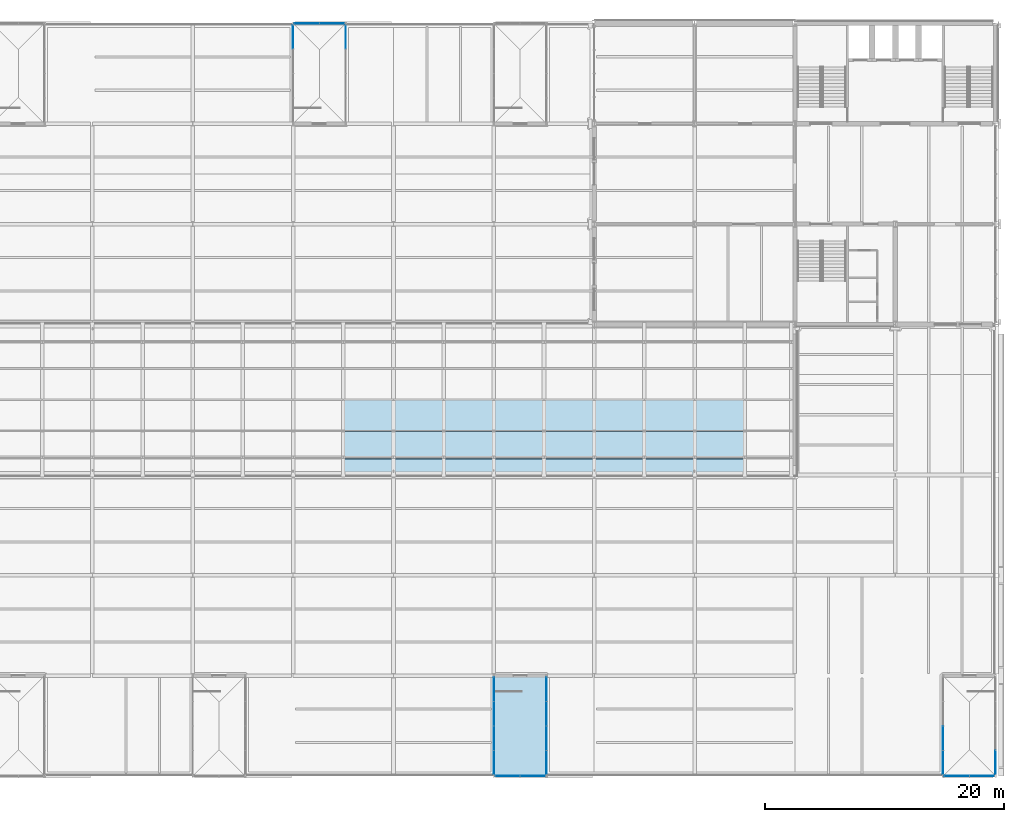
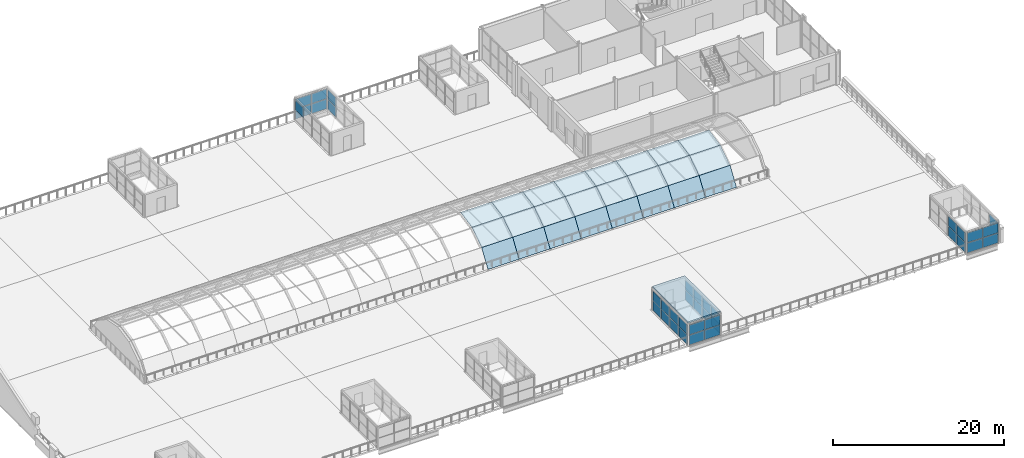
# One storey, part 36 of 58: 61 plates, 1 slab, 9 elements without a shape of their own.
"""IFC4 building model written with IfcOpenShell, lengths in metres."""

import ifcopenshell
import ifcopenshell.guid

model = None  # the IFC model being written
_history = None  # IfcOwnerHistory: only IFC2X3 demands one
_inside = {}  # id of a spatial element -> (the spatial element, [elements in it])
_under = {}  # id of a project, library or spatial element -> (it, [spatial elements below it])
_declared = {}  # id of a project -> (the project, [libraries it declares])
_typed = {}  # id of a type object -> (the type object, [elements of that type])
_made_of = {}  # id of a material, layer set ... -> (it, [elements and type objects made of it])


def new_model(schema):
    """Start an empty IFC model of exactly this schema.

    Asked for "IFC4X3", IfcOpenShell would pick the latest addendum, in which some entities
    have other attributes; the version numbers below select the first issue.
    IFC2X3 requires an IfcOwnerHistory on every rooted entity: one is made here for all.
    """
    global model, _history
    if schema == "IFC4X3":
        model = ifcopenshell.file(schema_version=(4, 3, 0, 0))
    else:
        model = ifcopenshell.file(schema=schema)
    _inside.clear()
    _under.clear()
    _declared.clear()
    _typed.clear()
    _made_of.clear()
    _history = None
    if model.schema == "IFC2X3":
        org = make("IfcOrganization", Name="unknown")
        user = make(
            "IfcPersonAndOrganization",
            ThePerson=make("IfcPerson", FamilyName="unknown"),
            TheOrganization=org,
        )
        app = make(
            "IfcApplication",
            ApplicationDeveloper=org,
            Version="unknown",
            ApplicationFullName="unknown",
            ApplicationIdentifier="unknown",
        )
        _history = make(
            "IfcOwnerHistory",
            OwningUser=user,
            OwningApplication=app,
            ChangeAction="ADDED",
            CreationDate=0,
        )
    return model


def make(cls, **values):
    """One entity of the class cls with the attributes given. An attribute that is None is left unset."""
    return model.create_entity(
        cls, **{name: value for name, value in values.items() if value is not None}
    )


def rooted(cls, **values):
    """An entity with a GlobalId (a new one), such as an element, a storey or a relation."""
    return make(cls, GlobalId=ifcopenshell.guid.new(), OwnerHistory=_history, **values)


def si_unit(unit_type, name, prefix=None):
    """IfcSIUnit, for example si_unit("LENGTHUNIT", "METRE", prefix="MILLI")."""
    return make("IfcSIUnit", UnitType=unit_type, Prefix=prefix, Name=name)


def assignment(units):
    """IfcUnitAssignment: the units of a project."""
    return None if units is None else make("IfcUnitAssignment", Units=units)


def point(xyz):
    """IfcCartesianPoint."""
    return None if xyz is None else make("IfcCartesianPoint", Coordinates=xyz)


def direction(xyz):
    """IfcDirection."""
    return None if xyz is None else make("IfcDirection", DirectionRatios=xyz)


def frame(location, z_axis=None, x_axis=None):
    """IfcAxis2Placement3D, a coordinate frame: its origin and axes. An axis left out is left unset."""
    return make(
        "IfcAxis2Placement3D",
        Location=point(location),
        Axis=direction(z_axis),
        RefDirection=direction(x_axis),
    )


def frame_2d(location, x_axis=None):
    """IfcAxis2Placement2D, a coordinate frame in the plane: its origin and x axis."""
    return make(
        "IfcAxis2Placement2D", Location=point(location), RefDirection=direction(x_axis)
    )


def origin():
    """The frame at (0, 0, 0) with its axes left unset."""
    return frame((0.0, 0.0, 0.0))


def origin_2d():
    """The frame at (0, 0) in the plane with its x axis left unset."""
    return frame_2d((0.0, 0.0))


def place(relative_to, where):
    """IfcLocalPlacement: puts the frame where relative to a parent placement (None: the world)."""
    return make(
        "IfcLocalPlacement", PlacementRelTo=relative_to, RelativePlacement=where
    )


def context(
    kind, dimensions, precision=None, world=None, true_north=None, identifier=None
):
    """IfcGeometricRepresentationContext, for example the 3D "Model" context."""
    return make(
        "IfcGeometricRepresentationContext",
        ContextIdentifier=identifier,
        ContextType=kind,
        CoordinateSpaceDimension=dimensions,
        Precision=precision,
        WorldCoordinateSystem=world,
        TrueNorth=true_north,
    )


def subcontext(parent, identifier, kind, view, scale=None):
    """IfcGeometricRepresentationSubContext, for example "Body" below "Model"."""
    return make(
        "IfcGeometricRepresentationSubContext",
        ContextIdentifier=identifier,
        ContextType=kind,
        ParentContext=parent,
        TargetScale=scale,
        TargetView=view,
    )


def project(units=None, contexts=None):
    """IfcProject with its units and contexts."""
    return rooted(
        "IfcProject",
        Name="project",
        RepresentationContexts=contexts,
        UnitsInContext=assignment(units),
    )


def spatial(cls, under=None, at=None, **own):
    """A site, building, storey or space (cls), placed at a placement, below another one or the project."""
    s = rooted(cls, ObjectPlacement=at, **own)
    if under is not None:
        _under.setdefault(under.id(), (under, []))[1].append(s)
    return s


def polyline(points):
    """IfcPolyline through the points."""
    return make("IfcPolyline", Points=[point(p) for p in points])


def profile(cls, at=None, kind="AREA", **sizes):
    """A parametric profile (cls). Its sizes go by their IFC names, for example OverallWidth=200.0."""
    return make(cls, ProfileType=kind, Position=at, **sizes)


def rectangle(**sizes):
    """IfcRectangleProfileDef."""
    return profile("IfcRectangleProfileDef", **sizes)


def outline(outer, holes=None, kind="AREA"):
    """IfcArbitraryClosedProfileDef: a profile drawn as a closed curve; with holes, ...WithVoids."""
    if holes is None:
        return make("IfcArbitraryClosedProfileDef", ProfileType=kind, OuterCurve=outer)
    return make(
        "IfcArbitraryProfileDefWithVoids",
        ProfileType=kind,
        OuterCurve=outer,
        InnerCurves=holes,
    )


def extrude(swept, where, along, depth):
    """IfcExtrudedAreaSolid: the profile swept, set in the frame where, extruded along a direction by depth."""
    return make(
        "IfcExtrudedAreaSolid",
        SweptArea=swept,
        Position=where,
        ExtrudedDirection=direction(along),
        Depth=depth,
    )


def shape(context_of_items, identifier, shape_type, items):
    """IfcShapeRepresentation: the items that make up one representation, for example the "Body"."""
    return make(
        "IfcShapeRepresentation",
        ContextOfItems=context_of_items,
        RepresentationIdentifier=identifier,
        RepresentationType=shape_type,
        Items=items,
    )


def material(Name=None, Category=None):
    """IfcMaterial."""
    return make("IfcMaterial", Name=Name, Category=Category)


def layer(
    of_material, thickness, ventilated=None, Name=None, Category=None, Priority=None
):
    """IfcMaterialLayer: one layer of a wall or slab, of a material (None: an air gap)."""
    return make(
        "IfcMaterialLayer",
        Material=of_material,
        LayerThickness=thickness,
        IsVentilated=ventilated,
        Name=Name,
        Category=Category,
        Priority=Priority,
    )


def layer_set(layers, Name=None):
    """IfcMaterialLayerSet."""
    return make("IfcMaterialLayerSet", MaterialLayers=layers, LayerSetName=Name)


def made_of(thing, what):
    """Note that an element or type object is made of a material, layer set ...; save() writes the relation."""
    if what is not None:
        _made_of.setdefault(what.id(), (what, []))[1].append(thing)
    return thing


def type_object(cls, material=None, **own):
    """A type object (cls), such as IfcWallType, which elements share."""
    return made_of(rooted(cls, **own), material)


def element(
    cls,
    number,
    at=None,
    inside=None,
    cuts=None,
    type_object=None,
    material=None,
    context=None,
    identifier="Body",
    shape_type=None,
    held_by="IfcProductDefinitionShape",
    body=None,
    shapes=None,
    **own,
):
    """One element of the class cls, such as IfcWall. Its Tag is "e" and its number.

    at: its placement. inside: the storey or other place that contains it. cuts: it is an
    opening in that element (IfcRelVoidsElement). A single representation is given by context,
    identifier, shape_type and body (its items); several are given by shapes. held_by: the class
    of the entity that holds the representations. save() writes the other relations.
    """
    e = rooted(cls, Tag="e%d" % number, ObjectPlacement=at, **own)
    if body is not None:
        shapes = [shape(context, identifier, shape_type, body)]
    if shapes is not None:
        e.Representation = make(held_by, Representations=shapes)
    if inside is not None:
        _inside.setdefault(inside.id(), (inside, []))[1].append(e)
    if cuts is not None:
        rooted(
            "IfcRelVoidsElement", RelatingBuildingElement=cuts, RelatedOpeningElement=e
        )
    if type_object is not None:
        _typed.setdefault(type_object.id(), (type_object, []))[1].append(e)
    return made_of(e, material)


def aggregate(whole, parts):
    """IfcRelAggregates: a whole, such as a stair, and the parts it consists of."""
    return rooted("IfcRelAggregates", RelatingObject=whole, RelatedObjects=parts)


def save(model, path):
    """Write the relations noted so far, then the file.

    IfcRelAggregates (storeys below a building ...), IfcRelContainedInSpatialStructure (elements
    in a storey), IfcRelDefinesByType, IfcRelAssociatesMaterial and IfcRelDeclares: one each for
    every whole, place, type object, material and project.
    """
    for whole, parts in _under.values():
        aggregate(whole, parts)
    for where, things in _inside.values():
        rooted(
            "IfcRelContainedInSpatialStructure",
            RelatedElements=things,
            RelatingStructure=where,
        )
    for kind, things in _typed.values():
        rooted("IfcRelDefinesByType", RelatedObjects=things, RelatingType=kind)
    for what, things in _made_of.values():
        rooted("IfcRelAssociatesMaterial", RelatedObjects=things, RelatingMaterial=what)
    for by, libraries in _declared.values():
        rooted("IfcRelDeclares", RelatingContext=by, RelatedDefinitions=libraries)
    model.write(path)


model = new_model("IFC4")

# Units and contexts
model_context = context("Model", 3, precision=1e-05, world=origin(), true_north=direction((0.0, 1.0)))
body_context = subcontext(model_context, "Body", "Model", "MODEL_VIEW")
ifc_project = project(units=[si_unit("LENGTHUNIT", "METRE"), si_unit("AREAUNIT", "SQUARE_METRE"), si_unit("VOLUMEUNIT", "CUBIC_METRE"), si_unit("PLANEANGLEUNIT", "RADIAN"), si_unit("MASSUNIT", "GRAM", prefix="KILO")], contexts=[model_context])

# Site, building, storey
site_placement = place(None, origin())
site = spatial("IfcSite", under=ifc_project, at=site_placement, CompositionType="ELEMENT")
building_placement = place(site_placement, origin())
building = spatial("IfcBuilding", under=site, at=building_placement, Name="Galleria Vessillo Department Store", CompositionType="ELEMENT")
storey_placement = place(building_placement, frame((0.0, 0.0, 31.199951171875)))
storey = spatial("IfcBuildingStorey", under=building, at=storey_placement, Name="L06", CompositionType="ELEMENT", Elevation=31.199951171875)

# Curtain wall, plates
ifc_material_1 = material(Name="Aluminium and glass curtain wall", Category="aluminium")
ifc_layer_1 = layer(ifc_material_1, 0.10009765625)
ifc_layer_set_1 = layer_set([ifc_layer_1], Name="Aluminium and glass curtain wall")
curtain_wall_type = type_object("IfcCurtainWallType", Name="Pavilion curtain wall CW5 2100 module", PredefinedType="NOTDEFINED", material=ifc_layer_set_1)
curtain_wall_1_placement = place(storey_placement, origin())
curtain_wall_1 = element("IfcCurtainWall", 1, at=curtain_wall_1_placement, inside=storey, type_object=curtain_wall_type, Name="Pavilion curtain wall CW5 2100 module PV-ST5-A", PredefinedType="NOTDEFINED")
ifc_material_2 = material(Name="Glass laminated 44.2 low-e", Category="glass")
ifc_layer_2 = layer(ifc_material_2, 0.028076171875)
ifc_layer_set_2 = layer_set([ifc_layer_2], Name="Glass laminated 44.2 low-e")
plate_type_1 = type_object("IfcPlateType", Name="Laminated glass panel 28 mm", PredefinedType="CURTAIN_PANEL", material=ifc_layer_set_2)
plate_1_placement = place(storey_placement, frame((75.60009765625, 1.137451171875, 0.0498046875), z_axis=(0.0, 0.0, 1.0), x_axis=(0.0, 1.0, 0.0)))
plate_1 = element("IfcPlate", 2, at=plate_1_placement, type_object=plate_type_1, Name="CW5 panel 1.1", PredefinedType="CURTAIN_PANEL", context=body_context, shape_type="SweptSolid", body=[
    extrude(rectangle(XDim=1.97509765625, YDim=0.028076171875, at=origin_2d()), origin(), (0.0, 0.0, 1.0), 1.360107421875),
])
plate_2_placement = place(storey_placement, frame((75.60009765625, 1.137451171875, 1.4599609375), z_axis=(0.0, 0.0, 1.0), x_axis=(0.0, 1.0, 0.0)))
plate_2 = element("IfcPlate", 3, at=plate_2_placement, type_object=plate_type_1, Name="CW5 panel 1.2", PredefinedType="CURTAIN_PANEL", context=body_context, shape_type="SweptSolid", body=[
    extrude(rectangle(XDim=1.97509765625, YDim=0.028076171875, at=origin_2d()), origin(), (0.0, 0.0, 1.0), 1.360107421875),
])
plate_3_placement = place(storey_placement, frame((75.60009765625, 3.175048828125, 0.0498046875), z_axis=(0.0, 0.0, 1.0), x_axis=(0.0, 1.0, 0.0)))
plate_3 = element("IfcPlate", 4, at=plate_3_placement, type_object=plate_type_1, Name="CW5 panel 2.1", PredefinedType="CURTAIN_PANEL", context=body_context, shape_type="SweptSolid", body=[
    extrude(rectangle(XDim=2.0, YDim=0.028076171875, at=origin_2d()), origin(), (0.0, 0.0, 1.0), 1.360107421875),
])
plate_4_placement = place(storey_placement, frame((75.60009765625, 3.175048828125, 1.4599609375), z_axis=(0.0, 0.0, 1.0), x_axis=(0.0, 1.0, 0.0)))
plate_4 = element("IfcPlate", 5, at=plate_4_placement, type_object=plate_type_1, Name="CW5 panel 2.2", PredefinedType="CURTAIN_PANEL", context=body_context, shape_type="SweptSolid", body=[
    extrude(rectangle(XDim=2.0, YDim=0.028076171875, at=origin_2d()), origin(), (0.0, 0.0, 1.0), 1.360107421875),
])
plate_5_placement = place(storey_placement, frame((75.60009765625, 5.224853515625, 0.0498046875), z_axis=(0.0, 0.0, 1.0), x_axis=(0.0, 1.0, 0.0)))
plate_5 = element("IfcPlate", 6, at=plate_5_placement, type_object=plate_type_1, Name="CW5 panel 3.1", PredefinedType="CURTAIN_PANEL", context=body_context, shape_type="SweptSolid", body=[
    extrude(rectangle(XDim=2.0, YDim=0.028076171875, at=origin_2d()), origin(), (0.0, 0.0, 1.0), 1.360107421875),
])
plate_6_placement = place(storey_placement, frame((75.60009765625, 5.224853515625, 1.4599609375), z_axis=(0.0, 0.0, 1.0), x_axis=(0.0, 1.0, 0.0)))
plate_6 = element("IfcPlate", 7, at=plate_6_placement, type_object=plate_type_1, Name="CW5 panel 3.2", PredefinedType="CURTAIN_PANEL", context=body_context, shape_type="SweptSolid", body=[
    extrude(rectangle(XDim=2.0, YDim=0.028076171875, at=origin_2d()), origin(), (0.0, 0.0, 1.0), 1.360107421875),
])
plate_7_placement = place(storey_placement, frame((75.60009765625, 7.262451171875, 0.0498046875), z_axis=(0.0, 0.0, 1.0), x_axis=(0.0, 1.0, 0.0)))
plate_7 = element("IfcPlate", 8, at=plate_7_placement, type_object=plate_type_1, Name="CW5 panel 4.1", PredefinedType="CURTAIN_PANEL", context=body_context, shape_type="SweptSolid", body=[
    extrude(rectangle(XDim=1.97509765625, YDim=0.028076171875, at=origin_2d()), origin(), (0.0, 0.0, 1.0), 1.360107421875),
])
plate_8_placement = place(storey_placement, frame((75.60009765625, 7.262451171875, 1.4599609375), z_axis=(0.0, 0.0, 1.0), x_axis=(0.0, 1.0, 0.0)))
plate_8 = element("IfcPlate", 9, at=plate_8_placement, type_object=plate_type_1, Name="CW5 panel 4.2", PredefinedType="CURTAIN_PANEL", context=body_context, shape_type="SweptSolid", body=[
    extrude(rectangle(XDim=1.97509765625, YDim=0.028076171875, at=origin_2d()), origin(), (0.0, 0.0, 1.0), 1.360107421875),
])
aggregate(curtain_wall_1, [plate_1, plate_2, plate_3, plate_4, plate_5, plate_6, plate_7, plate_8])

curtain_wall_2_placement = place(storey_placement, origin())
curtain_wall_2 = element("IfcCurtainWall", 10, at=curtain_wall_2_placement, inside=storey, type_object=curtain_wall_type, Name="Pavilion curtain wall CW5 2100 module PV-ST5-B", PredefinedType="NOTDEFINED")
plate_9_placement = place(storey_placement, frame((80.0, 1.137451171875, 0.0498046875), z_axis=(0.0, 0.0, 1.0), x_axis=(0.0, 1.0, 0.0)))
plate_9 = element("IfcPlate", 11, at=plate_9_placement, type_object=plate_type_1, Name="CW5 panel 1.1", PredefinedType="CURTAIN_PANEL", context=body_context, shape_type="SweptSolid", body=[
    extrude(rectangle(XDim=1.97509765625, YDim=0.028076171875, at=origin_2d()), origin(), (0.0, 0.0, 1.0), 1.360107421875),
])
plate_10_placement = place(storey_placement, frame((80.0, 1.137451171875, 1.4599609375), z_axis=(0.0, 0.0, 1.0), x_axis=(0.0, 1.0, 0.0)))
plate_10 = element("IfcPlate", 12, at=plate_10_placement, type_object=plate_type_1, Name="CW5 panel 1.2", PredefinedType="CURTAIN_PANEL", context=body_context, shape_type="SweptSolid", body=[
    extrude(rectangle(XDim=1.97509765625, YDim=0.028076171875, at=origin_2d()), origin(), (0.0, 0.0, 1.0), 1.360107421875),
])
plate_11_placement = place(storey_placement, frame((80.0, 3.175048828125, 0.0498046875), z_axis=(0.0, 0.0, 1.0), x_axis=(0.0, 1.0, 0.0)))
plate_11 = element("IfcPlate", 13, at=plate_11_placement, type_object=plate_type_1, Name="CW5 panel 2.1", PredefinedType="CURTAIN_PANEL", context=body_context, shape_type="SweptSolid", body=[
    extrude(rectangle(XDim=2.0, YDim=0.028076171875, at=origin_2d()), origin(), (0.0, 0.0, 1.0), 1.360107421875),
])
plate_12_placement = place(storey_placement, frame((80.0, 3.175048828125, 1.4599609375), z_axis=(0.0, 0.0, 1.0), x_axis=(0.0, 1.0, 0.0)))
plate_12 = element("IfcPlate", 14, at=plate_12_placement, type_object=plate_type_1, Name="CW5 panel 2.2", PredefinedType="CURTAIN_PANEL", context=body_context, shape_type="SweptSolid", body=[
    extrude(rectangle(XDim=2.0, YDim=0.028076171875, at=origin_2d()), origin(), (0.0, 0.0, 1.0), 1.360107421875),
])
plate_13_placement = place(storey_placement, frame((80.0, 5.224853515625, 0.0498046875), z_axis=(0.0, 0.0, 1.0), x_axis=(0.0, 1.0, 0.0)))
plate_13 = element("IfcPlate", 15, at=plate_13_placement, type_object=plate_type_1, Name="CW5 panel 3.1", PredefinedType="CURTAIN_PANEL", context=body_context, shape_type="SweptSolid", body=[
    extrude(rectangle(XDim=2.0, YDim=0.028076171875, at=origin_2d()), origin(), (0.0, 0.0, 1.0), 1.360107421875),
])
plate_14_placement = place(storey_placement, frame((80.0, 5.224853515625, 1.4599609375), z_axis=(0.0, 0.0, 1.0), x_axis=(0.0, 1.0, 0.0)))
plate_14 = element("IfcPlate", 16, at=plate_14_placement, type_object=plate_type_1, Name="CW5 panel 3.2", PredefinedType="CURTAIN_PANEL", context=body_context, shape_type="SweptSolid", body=[
    extrude(rectangle(XDim=2.0, YDim=0.028076171875, at=origin_2d()), origin(), (0.0, 0.0, 1.0), 1.360107421875),
])
plate_15_placement = place(storey_placement, frame((80.0, 7.262451171875, 0.0498046875), z_axis=(0.0, 0.0, 1.0), x_axis=(0.0, 1.0, 0.0)))
plate_15 = element("IfcPlate", 17, at=plate_15_placement, type_object=plate_type_1, Name="CW5 panel 4.1", PredefinedType="CURTAIN_PANEL", context=body_context, shape_type="SweptSolid", body=[
    extrude(rectangle(XDim=1.97509765625, YDim=0.028076171875, at=origin_2d()), origin(), (0.0, 0.0, 1.0), 1.360107421875),
])
plate_16_placement = place(storey_placement, frame((80.0, 7.262451171875, 1.4599609375), z_axis=(0.0, 0.0, 1.0), x_axis=(0.0, 1.0, 0.0)))
plate_16 = element("IfcPlate", 18, at=plate_16_placement, type_object=plate_type_1, Name="CW5 panel 4.2", PredefinedType="CURTAIN_PANEL", context=body_context, shape_type="SweptSolid", body=[
    extrude(rectangle(XDim=1.97509765625, YDim=0.028076171875, at=origin_2d()), origin(), (0.0, 0.0, 1.0), 1.360107421875),
])
aggregate(curtain_wall_2, [plate_9, plate_10, plate_11, plate_12, plate_13, plate_14, plate_15, plate_16])

curtain_wall_3_placement = place(storey_placement, origin())
curtain_wall_3 = element("IfcCurtainWall", 19, at=curtain_wall_3_placement, inside=storey, type_object=curtain_wall_type, Name="Pavilion curtain wall CW5 2100 module PV-ST5-F", PredefinedType="NOTDEFINED")
plate_17_placement = place(storey_placement, frame((76.737548828125, 0.0, 0.05029296875), z_axis=(0.0, 0.0, 1.0), x_axis=(1.0, 0.0, 0.0)))
plate_17 = element("IfcPlate", 20, at=plate_17_placement, type_object=plate_type_1, Name="CW5 panel 1.1", PredefinedType="CURTAIN_PANEL", context=body_context, shape_type="SweptSolid", body=[
    extrude(rectangle(XDim=2.074951171875, YDim=0.028076171875, at=origin_2d()), origin(), (0.0, 0.0, 1.0), 1.405029296875),
])
plate_18_placement = place(storey_placement, frame((76.737548828125, 0.0, 1.50537109375), z_axis=(0.0, 0.0, 1.0), x_axis=(1.0, 0.0, 0.0)))
plate_18 = element("IfcPlate", 21, at=plate_18_placement, type_object=plate_type_1, Name="CW5 panel 1.2", PredefinedType="CURTAIN_PANEL", context=body_context, shape_type="SweptSolid", body=[
    extrude(rectangle(XDim=2.074951171875, YDim=0.028076171875, at=origin_2d()), origin(), (0.0, 0.0, 1.0), 1.405029296875),
])
plate_19_placement = place(storey_placement, frame((78.862548828125, 0.0, 0.05029296875), z_axis=(0.0, 0.0, 1.0), x_axis=(1.0, 0.0, 0.0)))
plate_19 = element("IfcPlate", 22, at=plate_19_placement, type_object=plate_type_1, Name="CW5 panel 2.1", PredefinedType="CURTAIN_PANEL", context=body_context, shape_type="SweptSolid", body=[
    extrude(rectangle(XDim=2.074951171875, YDim=0.028076171875, at=origin_2d()), origin(), (0.0, 0.0, 1.0), 1.405029296875),
])
plate_20_placement = place(storey_placement, frame((78.862548828125, 0.0, 1.50537109375), z_axis=(0.0, 0.0, 1.0), x_axis=(1.0, 0.0, 0.0)))
plate_20 = element("IfcPlate", 23, at=plate_20_placement, type_object=plate_type_1, Name="CW5 panel 2.2", PredefinedType="CURTAIN_PANEL", context=body_context, shape_type="SweptSolid", body=[
    extrude(rectangle(XDim=2.074951171875, YDim=0.028076171875, at=origin_2d()), origin(), (0.0, 0.0, 1.0), 1.405029296875),
])
aggregate(curtain_wall_3, [plate_17, plate_18, plate_19, plate_20])

# Curtain wall, plate
curtain_wall_4_placement = place(storey_placement, origin())
curtain_wall_4 = element("IfcCurtainWall", 24, at=curtain_wall_4_placement, inside=storey, type_object=curtain_wall_type, Name="Pavilion curtain wall CW5 2100 module PV-ST11-A", PredefinedType="NOTDEFINED")
plate_21_placement = place(storey_placement, frame((58.800048828125, 61.862548828125, 1.4599609375), z_axis=(0.0, 0.0, 1.0), x_axis=(0.0, 1.0, 0.0)))
plate_21 = element("IfcPlate", 25, at=plate_21_placement, type_object=plate_type_1, Name="CW5 panel 4.2", PredefinedType="CURTAIN_PANEL", context=body_context, shape_type="SweptSolid", body=[
    extrude(rectangle(XDim=1.97509765625, YDim=0.028076171875, at=origin_2d()), origin(), (0.0, 0.0, 1.0), 1.360107421875),
])
aggregate(curtain_wall_4, [plate_21])

# Curtain wall, plates
curtain_wall_5_placement = place(storey_placement, origin())
curtain_wall_5 = element("IfcCurtainWall", 26, at=curtain_wall_5_placement, inside=storey, type_object=curtain_wall_type, Name="Pavilion curtain wall CW5 2100 module PV-ST11-B", PredefinedType="NOTDEFINED")
plate_22_placement = place(storey_placement, frame((63.199951171875, 61.862548828125, 0.0498046875), z_axis=(0.0, 0.0, 1.0), x_axis=(0.0, 1.0, 0.0)))
plate_22 = element("IfcPlate", 27, at=plate_22_placement, type_object=plate_type_1, Name="CW5 panel 4.1", PredefinedType="CURTAIN_PANEL", context=body_context, shape_type="SweptSolid", body=[
    extrude(rectangle(XDim=1.97509765625, YDim=0.028076171875, at=origin_2d()), origin(), (0.0, 0.0, 1.0), 1.360107421875),
])
plate_23_placement = place(storey_placement, frame((63.199951171875, 61.862548828125, 1.4599609375), z_axis=(0.0, 0.0, 1.0), x_axis=(0.0, 1.0, 0.0)))
plate_23 = element("IfcPlate", 28, at=plate_23_placement, type_object=plate_type_1, Name="CW5 panel 4.2", PredefinedType="CURTAIN_PANEL", context=body_context, shape_type="SweptSolid", body=[
    extrude(rectangle(XDim=1.97509765625, YDim=0.028076171875, at=origin_2d()), origin(), (0.0, 0.0, 1.0), 1.360107421875),
])
aggregate(curtain_wall_5, [plate_22, plate_23])

curtain_wall_6_placement = place(storey_placement, origin())
curtain_wall_6 = element("IfcCurtainWall", 29, at=curtain_wall_6_placement, inside=storey, type_object=curtain_wall_type, Name="Pavilion curtain wall CW5 2100 module PV-ST11-F", PredefinedType="NOTDEFINED")
plate_24_placement = place(storey_placement, frame((59.9375, 63.0, 0.05029296875), z_axis=(0.0, 0.0, 1.0), x_axis=(1.0, 0.0, 0.0)))
plate_24 = element("IfcPlate", 30, at=plate_24_placement, type_object=plate_type_1, Name="CW5 panel 1.1", PredefinedType="CURTAIN_PANEL", context=body_context, shape_type="SweptSolid", body=[
    extrude(rectangle(XDim=2.074951171875, YDim=0.028076171875, at=origin_2d()), origin(), (0.0, 0.0, 1.0), 1.405029296875),
])
plate_25_placement = place(storey_placement, frame((59.9375, 63.0, 1.50537109375), z_axis=(0.0, 0.0, 1.0), x_axis=(1.0, 0.0, 0.0)))
plate_25 = element("IfcPlate", 31, at=plate_25_placement, type_object=plate_type_1, Name="CW5 panel 1.2", PredefinedType="CURTAIN_PANEL", context=body_context, shape_type="SweptSolid", body=[
    extrude(rectangle(XDim=2.074951171875, YDim=0.028076171875, at=origin_2d()), origin(), (0.0, 0.0, 1.0), 1.405029296875),
])
plate_26_placement = place(storey_placement, frame((62.0625, 63.0, 0.05029296875), z_axis=(0.0, 0.0, 1.0), x_axis=(1.0, 0.0, 0.0)))
plate_26 = element("IfcPlate", 32, at=plate_26_placement, type_object=plate_type_1, Name="CW5 panel 2.1", PredefinedType="CURTAIN_PANEL", context=body_context, shape_type="SweptSolid", body=[
    extrude(rectangle(XDim=2.074951171875, YDim=0.028076171875, at=origin_2d()), origin(), (0.0, 0.0, 1.0), 1.405029296875),
])
plate_27_placement = place(storey_placement, frame((62.0625, 63.0, 1.50537109375), z_axis=(0.0, 0.0, 1.0), x_axis=(1.0, 0.0, 0.0)))
plate_27 = element("IfcPlate", 33, at=plate_27_placement, type_object=plate_type_1, Name="CW5 panel 2.2", PredefinedType="CURTAIN_PANEL", context=body_context, shape_type="SweptSolid", body=[
    extrude(rectangle(XDim=2.074951171875, YDim=0.028076171875, at=origin_2d()), origin(), (0.0, 0.0, 1.0), 1.405029296875),
])
aggregate(curtain_wall_6, [plate_24, plate_25, plate_26, plate_27])

curtain_wall_7_placement = place(storey_placement, origin())
curtain_wall_7 = element("IfcCurtainWall", 34, at=curtain_wall_7_placement, inside=storey, type_object=curtain_wall_type, Name="Pavilion curtain wall CW5 2100 module PV-ST7-A", PredefinedType="NOTDEFINED")
plate_28_placement = place(storey_placement, frame((113.199951171875, 1.137451171875, 0.0498046875), z_axis=(0.0, 0.0, 1.0), x_axis=(0.0, 1.0, 0.0)))
plate_28 = element("IfcPlate", 35, at=plate_28_placement, type_object=plate_type_1, Name="CW5 panel 1.1", PredefinedType="CURTAIN_PANEL", context=body_context, shape_type="SweptSolid", body=[
    extrude(rectangle(XDim=1.97509765625, YDim=0.028076171875, at=origin_2d()), origin(), (0.0, 0.0, 1.0), 1.360107421875),
])
plate_29_placement = place(storey_placement, frame((113.199951171875, 1.137451171875, 1.4599609375), z_axis=(0.0, 0.0, 1.0), x_axis=(0.0, 1.0, 0.0)))
plate_29 = element("IfcPlate", 36, at=plate_29_placement, type_object=plate_type_1, Name="CW5 panel 1.2", PredefinedType="CURTAIN_PANEL", context=body_context, shape_type="SweptSolid", body=[
    extrude(rectangle(XDim=1.97509765625, YDim=0.028076171875, at=origin_2d()), origin(), (0.0, 0.0, 1.0), 1.360107421875),
])
plate_30_placement = place(storey_placement, frame((113.199951171875, 3.175048828125, 0.0498046875), z_axis=(0.0, 0.0, 1.0), x_axis=(0.0, 1.0, 0.0)))
plate_30 = element("IfcPlate", 37, at=plate_30_placement, type_object=plate_type_1, Name="CW5 panel 2.1", PredefinedType="CURTAIN_PANEL", context=body_context, shape_type="SweptSolid", body=[
    extrude(rectangle(XDim=2.0, YDim=0.028076171875, at=origin_2d()), origin(), (0.0, 0.0, 1.0), 1.360107421875),
])
plate_31_placement = place(storey_placement, frame((113.199951171875, 3.175048828125, 1.4599609375), z_axis=(0.0, 0.0, 1.0), x_axis=(0.0, 1.0, 0.0)))
plate_31 = element("IfcPlate", 38, at=plate_31_placement, type_object=plate_type_1, Name="CW5 panel 2.2", PredefinedType="CURTAIN_PANEL", context=body_context, shape_type="SweptSolid", body=[
    extrude(rectangle(XDim=2.0, YDim=0.028076171875, at=origin_2d()), origin(), (0.0, 0.0, 1.0), 1.360107421875),
])
aggregate(curtain_wall_7, [plate_28, plate_29, plate_30, plate_31])

curtain_wall_8_placement = place(storey_placement, origin())
curtain_wall_8 = element("IfcCurtainWall", 39, at=curtain_wall_8_placement, inside=storey, type_object=curtain_wall_type, Name="Pavilion curtain wall CW5 2100 module PV-ST7-B", PredefinedType="NOTDEFINED")
plate_32_placement = place(storey_placement, frame((117.60009765625, 1.137451171875, 0.0498046875), z_axis=(0.0, 0.0, 1.0), x_axis=(0.0, 1.0, 0.0)))
plate_32 = element("IfcPlate", 40, at=plate_32_placement, type_object=plate_type_1, Name="CW5 panel 1.1", PredefinedType="CURTAIN_PANEL", context=body_context, shape_type="SweptSolid", body=[
    extrude(rectangle(XDim=1.97509765625, YDim=0.028076171875, at=origin_2d()), origin(), (0.0, 0.0, 1.0), 1.360107421875),
])
plate_33_placement = place(storey_placement, frame((117.60009765625, 1.137451171875, 1.4599609375), z_axis=(0.0, 0.0, 1.0), x_axis=(0.0, 1.0, 0.0)))
plate_33 = element("IfcPlate", 41, at=plate_33_placement, type_object=plate_type_1, Name="CW5 panel 1.2", PredefinedType="CURTAIN_PANEL", context=body_context, shape_type="SweptSolid", body=[
    extrude(rectangle(XDim=1.97509765625, YDim=0.028076171875, at=origin_2d()), origin(), (0.0, 0.0, 1.0), 1.360107421875),
])
aggregate(curtain_wall_8, [plate_32, plate_33])

curtain_wall_9_placement = place(storey_placement, origin())
curtain_wall_9 = element("IfcCurtainWall", 42, at=curtain_wall_9_placement, inside=storey, type_object=curtain_wall_type, Name="Pavilion curtain wall CW5 2100 module PV-ST7-F", PredefinedType="NOTDEFINED")
plate_34_placement = place(storey_placement, frame((114.33740234375, 0.0, 0.05029296875), z_axis=(0.0, 0.0, 1.0), x_axis=(1.0, 0.0, 0.0)))
plate_34 = element("IfcPlate", 43, at=plate_34_placement, type_object=plate_type_1, Name="CW5 panel 1.1", PredefinedType="CURTAIN_PANEL", context=body_context, shape_type="SweptSolid", body=[
    extrude(rectangle(XDim=2.074951171875, YDim=0.028076171875, at=origin_2d()), origin(), (0.0, 0.0, 1.0), 1.405029296875),
])
plate_35_placement = place(storey_placement, frame((114.33740234375, 0.0, 1.50537109375), z_axis=(0.0, 0.0, 1.0), x_axis=(1.0, 0.0, 0.0)))
plate_35 = element("IfcPlate", 44, at=plate_35_placement, type_object=plate_type_1, Name="CW5 panel 1.2", PredefinedType="CURTAIN_PANEL", context=body_context, shape_type="SweptSolid", body=[
    extrude(rectangle(XDim=2.074951171875, YDim=0.028076171875, at=origin_2d()), origin(), (0.0, 0.0, 1.0), 1.405029296875),
])
plate_36_placement = place(storey_placement, frame((116.462646484375, 0.0, 0.05029296875), z_axis=(0.0, 0.0, 1.0), x_axis=(1.0, 0.0, 0.0)))
plate_36 = element("IfcPlate", 45, at=plate_36_placement, type_object=plate_type_1, Name="CW5 panel 2.1", PredefinedType="CURTAIN_PANEL", context=body_context, shape_type="SweptSolid", body=[
    extrude(rectangle(XDim=2.074951171875, YDim=0.028076171875, at=origin_2d()), origin(), (0.0, 0.0, 1.0), 1.405029296875),
])
plate_37_placement = place(storey_placement, frame((116.462646484375, 0.0, 1.50537109375), z_axis=(0.0, 0.0, 1.0), x_axis=(1.0, 0.0, 0.0)))
plate_37 = element("IfcPlate", 46, at=plate_37_placement, type_object=plate_type_1, Name="CW5 panel 2.2", PredefinedType="CURTAIN_PANEL", context=body_context, shape_type="SweptSolid", body=[
    extrude(rectangle(XDim=2.074951171875, YDim=0.028076171875, at=origin_2d()), origin(), (0.0, 0.0, 1.0), 1.405029296875),
])
aggregate(curtain_wall_9, [plate_34, plate_35, plate_36, plate_37])

# Plates
ifc_material_3 = material(Name="Glass laminated 44.2 low-e", Category="glass")
ifc_layer_3 = layer(ifc_material_3, 0.030029296875)
ifc_layer_set_3 = layer_set([ifc_layer_3], Name="Glass laminated 44.2 low-e")
plate_type_2 = type_object("IfcPlateType", Name="Laminated vault glazing panel 30 mm", PredefinedType="SHEET", material=ifc_layer_set_3)
plate_38_placement = place(storey_placement, frame((63.0, 25.0546875, 0.097412109375), z_axis=(0.0, -0.830525222922, 0.556981017711), x_axis=(1.0, 0.0, 0.0)))
element("IfcPlate", 47, at=plate_38_placement, inside=storey, type_object=plate_type_2, Name="Vault glazing panel 12.1", PredefinedType="SHEET", context=body_context, shape_type="SweptSolid", body=[
    extrude(outline(polyline([(0.0, 0.0), (4.199951171875, 0.0), (4.199951171875, 2.690021684729376), (0.0, 2.690021684729376), (0.0, 0.0)])), origin(), (0.0, 0.0, -1.0), 0.030029296875),
])
plate_39_placement = place(storey_placement, frame((63.0, 26.55712890625, 2.335693359375), z_axis=(0.0, -0.554720893307, 0.832036495911), x_axis=(1.0, 0.0, 0.0)))
element("IfcPlate", 48, at=plate_39_placement, inside=storey, type_object=plate_type_2, Name="Vault glazing panel 12.2", PredefinedType="SHEET", context=body_context, shape_type="SweptSolid", body=[
    extrude(outline(polyline([(0.0, 0.0), (4.199951171875, 0.0), (4.199951171875, 2.722107250408877), (0.0, 2.722107250408877), (0.0, 0.0)])), origin(), (0.0, 0.0, -1.0), 0.030029296875),
])
plate_40_placement = place(storey_placement, frame((63.0, 28.827392578125, 3.847900390625), z_axis=(0.0, -0.194649660912, 0.980872830446), x_axis=(1.0, 0.0, 0.0)))
element("IfcPlate", 49, at=plate_40_placement, inside=storey, type_object=plate_type_2, Name="Vault glazing panel 12.3", PredefinedType="SHEET", context=body_context, shape_type="SweptSolid", body=[
    extrude(outline(polyline([(0.0, 0.0), (4.199951171875, 0.0), (4.199951171875, 2.7217368567149305), (0.0, 2.7217368567149305), (0.0, 0.0)])), origin(), (0.0, 0.0, -1.0), 0.030029296875),
])
plate_41_placement = place(storey_placement, frame((67.199951171875, 25.0546875, 0.097412109375), z_axis=(0.0, -0.830525222922, 0.556981017711), x_axis=(1.0, 0.0, 0.0)))
element("IfcPlate", 50, at=plate_41_placement, inside=storey, type_object=plate_type_2, Name="Vault glazing panel 13.1", PredefinedType="SHEET", context=body_context, shape_type="SweptSolid", body=[
    extrude(outline(polyline([(0.0, 0.0), (4.199951171875, 0.0), (4.199951171875, 2.690021684729376), (0.0, 2.690021684729376), (0.0, 0.0)])), origin(), (0.0, 0.0, -1.0), 0.030029296875),
])
plate_42_placement = place(storey_placement, frame((67.199951171875, 26.55712890625, 2.335693359375), z_axis=(0.0, -0.554720893307, 0.832036495911), x_axis=(1.0, 0.0, 0.0)))
element("IfcPlate", 51, at=plate_42_placement, inside=storey, type_object=plate_type_2, Name="Vault glazing panel 13.2", PredefinedType="SHEET", context=body_context, shape_type="SweptSolid", body=[
    extrude(outline(polyline([(0.0, 0.0), (4.199951171875, 0.0), (4.199951171875, 2.722107250408877), (0.0, 2.722107250408877), (0.0, 0.0)])), origin(), (0.0, 0.0, -1.0), 0.030029296875),
])
plate_43_placement = place(storey_placement, frame((67.199951171875, 28.827392578125, 3.847900390625), z_axis=(0.0, -0.194649660912, 0.980872830446), x_axis=(1.0, 0.0, 0.0)))
element("IfcPlate", 52, at=plate_43_placement, inside=storey, type_object=plate_type_2, Name="Vault glazing panel 13.3", PredefinedType="SHEET", context=body_context, shape_type="SweptSolid", body=[
    extrude(outline(polyline([(0.0, 0.0), (4.199951171875, 0.0), (4.199951171875, 2.7217368567149305), (0.0, 2.7217368567149305), (0.0, 0.0)])), origin(), (0.0, 0.0, -1.0), 0.030029296875),
])
plate_44_placement = place(storey_placement, frame((71.39990234375, 25.0546875, 0.097412109375), z_axis=(0.0, -0.830525222922, 0.556981017711), x_axis=(1.0, 0.0, 0.0)))
element("IfcPlate", 53, at=plate_44_placement, inside=storey, type_object=plate_type_2, Name="Vault glazing panel 14.1", PredefinedType="SHEET", context=body_context, shape_type="SweptSolid", body=[
    extrude(outline(polyline([(0.0, 0.0), (4.2001953125, 0.0), (4.2001953125, 2.690021684729376), (0.0, 2.690021684729376), (0.0, 0.0)])), origin(), (0.0, 0.0, -1.0), 0.030029296875),
])
plate_45_placement = place(storey_placement, frame((71.39990234375, 26.55712890625, 2.335693359375), z_axis=(0.0, -0.554720893307, 0.832036495911), x_axis=(1.0, 0.0, 0.0)))
element("IfcPlate", 54, at=plate_45_placement, inside=storey, type_object=plate_type_2, Name="Vault glazing panel 14.2", PredefinedType="SHEET", context=body_context, shape_type="SweptSolid", body=[
    extrude(outline(polyline([(0.0, 0.0), (4.2001953125, 0.0), (4.2001953125, 2.722107250408877), (0.0, 2.722107250408877), (0.0, 0.0)])), origin(), (0.0, 0.0, -1.0), 0.030029296875),
])
plate_46_placement = place(storey_placement, frame((71.39990234375, 28.827392578125, 3.847900390625), z_axis=(0.0, -0.194649660912, 0.980872830446), x_axis=(1.0, 0.0, 0.0)))
element("IfcPlate", 55, at=plate_46_placement, inside=storey, type_object=plate_type_2, Name="Vault glazing panel 14.3", PredefinedType="SHEET", context=body_context, shape_type="SweptSolid", body=[
    extrude(outline(polyline([(0.0, 0.0), (4.2001953125, 0.0), (4.2001953125, 2.7217368567149305), (0.0, 2.7217368567149305), (0.0, 0.0)])), origin(), (0.0, 0.0, -1.0), 0.030029296875),
])
plate_47_placement = place(storey_placement, frame((75.60009765625, 25.0546875, 0.097412109375), z_axis=(0.0, -0.830525222922, 0.556981017711), x_axis=(1.0, 0.0, 0.0)))
element("IfcPlate", 56, at=plate_47_placement, inside=storey, type_object=plate_type_2, Name="Vault glazing panel 15.1", PredefinedType="SHEET", context=body_context, shape_type="SweptSolid", body=[
    extrude(outline(polyline([(0.0, 0.0), (4.199951171875, 0.0), (4.199951171875, 2.690021684729376), (0.0, 2.690021684729376), (0.0, 0.0)])), origin(), (0.0, 0.0, -1.0), 0.030029296875),
])
plate_48_placement = place(storey_placement, frame((75.60009765625, 26.55712890625, 2.335693359375), z_axis=(0.0, -0.554720893307, 0.832036495911), x_axis=(1.0, 0.0, 0.0)))
element("IfcPlate", 57, at=plate_48_placement, inside=storey, type_object=plate_type_2, Name="Vault glazing panel 15.2", PredefinedType="SHEET", context=body_context, shape_type="SweptSolid", body=[
    extrude(outline(polyline([(0.0, 0.0), (4.199951171875, 0.0), (4.199951171875, 2.722107250408877), (0.0, 2.722107250408877), (0.0, 0.0)])), origin(), (0.0, 0.0, -1.0), 0.030029296875),
])
plate_49_placement = place(storey_placement, frame((75.60009765625, 28.827392578125, 3.847900390625), z_axis=(0.0, -0.194649660912, 0.980872830446), x_axis=(1.0, 0.0, 0.0)))
element("IfcPlate", 58, at=plate_49_placement, inside=storey, type_object=plate_type_2, Name="Vault glazing panel 15.3", PredefinedType="SHEET", context=body_context, shape_type="SweptSolid", body=[
    extrude(outline(polyline([(0.0, 0.0), (4.199951171875, 0.0), (4.199951171875, 2.7217368567149305), (0.0, 2.7217368567149305), (0.0, 0.0)])), origin(), (0.0, 0.0, -1.0), 0.030029296875),
])
plate_50_placement = place(storey_placement, frame((79.800048828125, 25.0546875, 0.097412109375), z_axis=(0.0, -0.830525222922, 0.556981017711), x_axis=(1.0, 0.0, 0.0)))
element("IfcPlate", 59, at=plate_50_placement, inside=storey, type_object=plate_type_2, Name="Vault glazing panel 16.1", PredefinedType="SHEET", context=body_context, shape_type="SweptSolid", body=[
    extrude(outline(polyline([(0.0, 0.0), (4.199951171875, 0.0), (4.199951171875, 2.690021684729376), (0.0, 2.690021684729376), (0.0, 0.0)])), origin(), (0.0, 0.0, -1.0), 0.030029296875),
])
plate_51_placement = place(storey_placement, frame((79.800048828125, 26.55712890625, 2.335693359375), z_axis=(0.0, -0.554720893307, 0.832036495911), x_axis=(1.0, 0.0, 0.0)))
element("IfcPlate", 60, at=plate_51_placement, inside=storey, type_object=plate_type_2, Name="Vault glazing panel 16.2", PredefinedType="SHEET", context=body_context, shape_type="SweptSolid", body=[
    extrude(outline(polyline([(0.0, 0.0), (4.199951171875, 0.0), (4.199951171875, 2.722107250408877), (0.0, 2.722107250408877), (0.0, 0.0)])), origin(), (0.0, 0.0, -1.0), 0.030029296875),
])
plate_52_placement = place(storey_placement, frame((79.800048828125, 28.827392578125, 3.847900390625), z_axis=(0.0, -0.194649660912, 0.980872830446), x_axis=(1.0, 0.0, 0.0)))
element("IfcPlate", 61, at=plate_52_placement, inside=storey, type_object=plate_type_2, Name="Vault glazing panel 16.3", PredefinedType="SHEET", context=body_context, shape_type="SweptSolid", body=[
    extrude(outline(polyline([(0.0, 0.0), (4.199951171875, 0.0), (4.199951171875, 2.7217368567149305), (0.0, 2.7217368567149305), (0.0, 0.0)])), origin(), (0.0, 0.0, -1.0), 0.030029296875),
])
plate_53_placement = place(storey_placement, frame((84.0, 25.0546875, 0.097412109375), z_axis=(0.0, -0.830525222922, 0.556981017711), x_axis=(1.0, 0.0, 0.0)))
element("IfcPlate", 62, at=plate_53_placement, inside=storey, type_object=plate_type_2, Name="Vault glazing panel 17.1", PredefinedType="SHEET", context=body_context, shape_type="SweptSolid", body=[
    extrude(outline(polyline([(0.0, 0.0), (4.199951171875, 0.0), (4.199951171875, 2.690021684729376), (0.0, 2.690021684729376), (0.0, 0.0)])), origin(), (0.0, 0.0, -1.0), 0.030029296875),
])
plate_54_placement = place(storey_placement, frame((84.0, 26.55712890625, 2.335693359375), z_axis=(0.0, -0.554720893307, 0.832036495911), x_axis=(1.0, 0.0, 0.0)))
element("IfcPlate", 63, at=plate_54_placement, inside=storey, type_object=plate_type_2, Name="Vault glazing panel 17.2", PredefinedType="SHEET", context=body_context, shape_type="SweptSolid", body=[
    extrude(outline(polyline([(0.0, 0.0), (4.199951171875, 0.0), (4.199951171875, 2.722107250408877), (0.0, 2.722107250408877), (0.0, 0.0)])), origin(), (0.0, 0.0, -1.0), 0.030029296875),
])
plate_55_placement = place(storey_placement, frame((84.0, 28.827392578125, 3.847900390625), z_axis=(0.0, -0.194649660912, 0.980872830446), x_axis=(1.0, 0.0, 0.0)))
element("IfcPlate", 64, at=plate_55_placement, inside=storey, type_object=plate_type_2, Name="Vault glazing panel 17.3", PredefinedType="SHEET", context=body_context, shape_type="SweptSolid", body=[
    extrude(outline(polyline([(0.0, 0.0), (4.199951171875, 0.0), (4.199951171875, 2.7217368567149305), (0.0, 2.7217368567149305), (0.0, 0.0)])), origin(), (0.0, 0.0, -1.0), 0.030029296875),
])
plate_56_placement = place(storey_placement, frame((88.199951171875, 25.0546875, 0.097412109375), z_axis=(0.0, -0.830525222922, 0.556981017711), x_axis=(1.0, 0.0, 0.0)))
element("IfcPlate", 65, at=plate_56_placement, inside=storey, type_object=plate_type_2, Name="Vault glazing panel 18.1", PredefinedType="SHEET", context=body_context, shape_type="SweptSolid", body=[
    extrude(outline(polyline([(0.0, 0.0), (4.199951171875, 0.0), (4.199951171875, 2.690021684729376), (0.0, 2.690021684729376), (0.0, 0.0)])), origin(), (0.0, 0.0, -1.0), 0.030029296875),
])
plate_57_placement = place(storey_placement, frame((88.199951171875, 26.55712890625, 2.335693359375), z_axis=(0.0, -0.554720893307, 0.832036495911), x_axis=(1.0, 0.0, 0.0)))
element("IfcPlate", 66, at=plate_57_placement, inside=storey, type_object=plate_type_2, Name="Vault glazing panel 18.2", PredefinedType="SHEET", context=body_context, shape_type="SweptSolid", body=[
    extrude(outline(polyline([(0.0, 0.0), (4.199951171875, 0.0), (4.199951171875, 2.722107250408877), (0.0, 2.722107250408877), (0.0, 0.0)])), origin(), (0.0, 0.0, -1.0), 0.030029296875),
])
plate_58_placement = place(storey_placement, frame((88.199951171875, 28.827392578125, 3.847900390625), z_axis=(0.0, -0.194649660912, 0.980872830446), x_axis=(1.0, 0.0, 0.0)))
element("IfcPlate", 67, at=plate_58_placement, inside=storey, type_object=plate_type_2, Name="Vault glazing panel 18.3", PredefinedType="SHEET", context=body_context, shape_type="SweptSolid", body=[
    extrude(outline(polyline([(0.0, 0.0), (4.199951171875, 0.0), (4.199951171875, 2.7217368567149305), (0.0, 2.7217368567149305), (0.0, 0.0)])), origin(), (0.0, 0.0, -1.0), 0.030029296875),
])
plate_59_placement = place(storey_placement, frame((92.39990234375, 25.0546875, 0.097412109375), z_axis=(0.0, -0.830525222922, 0.556981017711), x_axis=(1.0, 0.0, 0.0)))
element("IfcPlate", 68, at=plate_59_placement, inside=storey, type_object=plate_type_2, Name="Vault glazing panel 19.1", PredefinedType="SHEET", context=body_context, shape_type="SweptSolid", body=[
    extrude(outline(polyline([(0.0, 0.0), (4.2001953125, 0.0), (4.2001953125, 2.690021684729376), (0.0, 2.690021684729376), (0.0, 0.0)])), origin(), (0.0, 0.0, -1.0), 0.030029296875),
])
plate_60_placement = place(storey_placement, frame((92.39990234375, 26.55712890625, 2.335693359375), z_axis=(0.0, -0.554720893307, 0.832036495911), x_axis=(1.0, 0.0, 0.0)))
element("IfcPlate", 69, at=plate_60_placement, inside=storey, type_object=plate_type_2, Name="Vault glazing panel 19.2", PredefinedType="SHEET", context=body_context, shape_type="SweptSolid", body=[
    extrude(outline(polyline([(0.0, 0.0), (4.2001953125, 0.0), (4.2001953125, 2.722107250408877), (0.0, 2.722107250408877), (0.0, 0.0)])), origin(), (0.0, 0.0, -1.0), 0.030029296875),
])
plate_61_placement = place(storey_placement, frame((92.39990234375, 28.827392578125, 3.847900390625), z_axis=(0.0, -0.194649660912, 0.980872830446), x_axis=(1.0, 0.0, 0.0)))
element("IfcPlate", 70, at=plate_61_placement, inside=storey, type_object=plate_type_2, Name="Vault glazing panel 19.3", PredefinedType="SHEET", context=body_context, shape_type="SweptSolid", body=[
    extrude(outline(polyline([(0.0, 0.0), (4.2001953125, 0.0), (4.2001953125, 2.7217368567149305), (0.0, 2.7217368567149305), (0.0, 0.0)])), origin(), (0.0, 0.0, -1.0), 0.030029296875),
])

# Slab
ifc_material_4 = material(Name="Concrete C32/40 reinforced", Category="concrete")
ifc_layer_4 = layer(ifc_material_4, 0.199951171875)
ifc_layer_set_4 = layer_set([ifc_layer_4], Name="Concrete C32/40 reinforced")
slab_type = type_object("IfcSlabType", Name="Pavilion roof slab 200 mm", PredefinedType="ROOF", material=ifc_layer_set_4)
slab_placement = place(storey_placement, frame((0.0, 0.0, 3.2001953125)))
element("IfcSlab", 71, at=slab_placement, inside=storey, type_object=slab_type, Name="S-SLAB-PAV-ST5-ROOF", PredefinedType="ROOF", context=body_context, shape_type="SweptSolid", body=[
    extrude(outline(polyline([(80.0, 0.0), (80.0, 8.39990234375), (75.60009765625, 8.39990234375), (75.60009765625, 0.0), (80.0, 0.0)])), origin(), (0.0, 0.0, 1.0), 0.199951171875),
])

save(model, "model.ifc")
